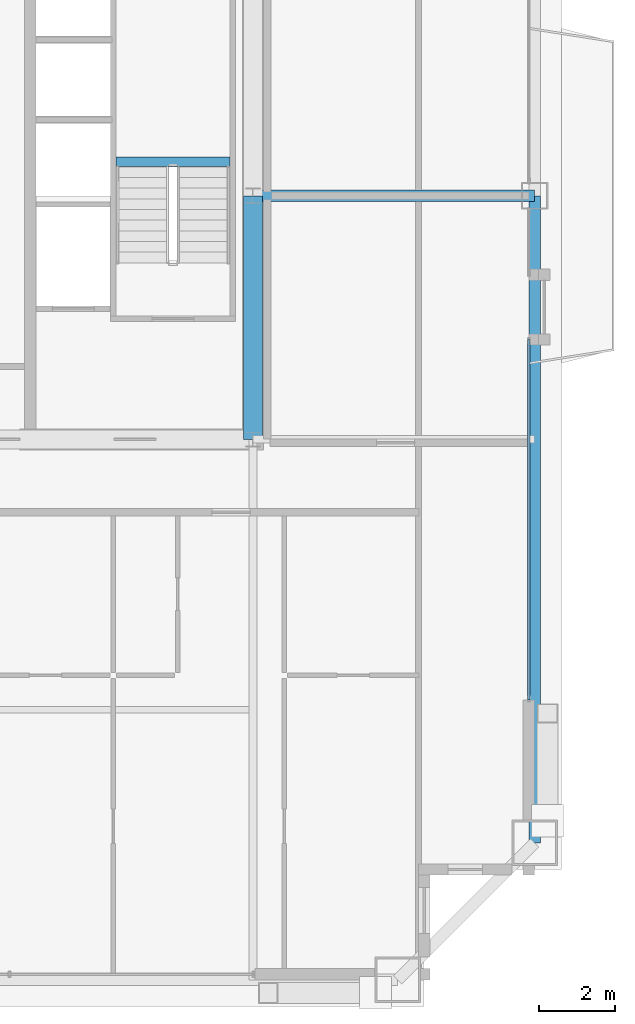
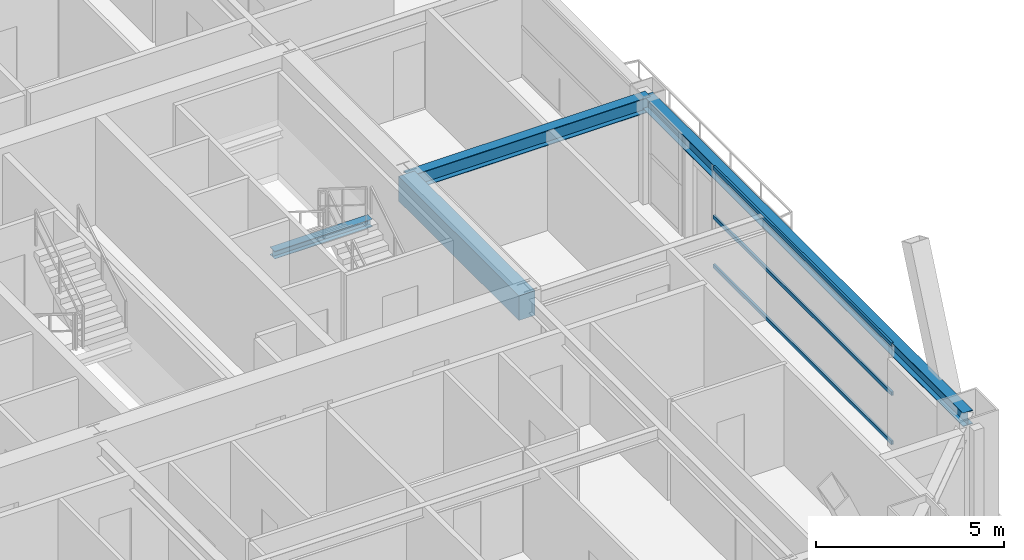
# One storey, part 16 of 35: 4 beams, 3 members, 1 element without a shape of its own.
"""IFC4 building model written with IfcOpenShell, lengths in metres."""

import ifcopenshell
import ifcopenshell.guid

model = None  # the IFC model being written
_history = None  # IfcOwnerHistory: only IFC2X3 demands one
_inside = {}  # id of a spatial element -> (the spatial element, [elements in it])
_under = {}  # id of a project, library or spatial element -> (it, [spatial elements below it])
_declared = {}  # id of a project -> (the project, [libraries it declares])
_typed = {}  # id of a type object -> (the type object, [elements of that type])
_made_of = {}  # id of a material, layer set ... -> (it, [elements and type objects made of it])


def new_model(schema):
    """Start an empty IFC model of exactly this schema.

    Asked for "IFC4X3", IfcOpenShell would pick the latest addendum, in which some entities
    have other attributes; the version numbers below select the first issue.
    IFC2X3 requires an IfcOwnerHistory on every rooted entity: one is made here for all.
    """
    global model, _history
    if schema == "IFC4X3":
        model = ifcopenshell.file(schema_version=(4, 3, 0, 0))
    else:
        model = ifcopenshell.file(schema=schema)
    _inside.clear()
    _under.clear()
    _declared.clear()
    _typed.clear()
    _made_of.clear()
    _history = None
    if model.schema == "IFC2X3":
        org = make("IfcOrganization", Name="unknown")
        user = make(
            "IfcPersonAndOrganization",
            ThePerson=make("IfcPerson", FamilyName="unknown"),
            TheOrganization=org,
        )
        app = make(
            "IfcApplication",
            ApplicationDeveloper=org,
            Version="unknown",
            ApplicationFullName="unknown",
            ApplicationIdentifier="unknown",
        )
        _history = make(
            "IfcOwnerHistory",
            OwningUser=user,
            OwningApplication=app,
            ChangeAction="ADDED",
            CreationDate=0,
        )
    return model


def make(cls, **values):
    """One entity of the class cls with the attributes given. An attribute that is None is left unset."""
    return model.create_entity(
        cls, **{name: value for name, value in values.items() if value is not None}
    )


def rooted(cls, **values):
    """An entity with a GlobalId (a new one), such as an element, a storey or a relation."""
    return make(cls, GlobalId=ifcopenshell.guid.new(), OwnerHistory=_history, **values)


def si_unit(unit_type, name, prefix=None):
    """IfcSIUnit, for example si_unit("LENGTHUNIT", "METRE", prefix="MILLI")."""
    return make("IfcSIUnit", UnitType=unit_type, Prefix=prefix, Name=name)


def assignment(units):
    """IfcUnitAssignment: the units of a project."""
    return None if units is None else make("IfcUnitAssignment", Units=units)


def point(xyz):
    """IfcCartesianPoint."""
    return None if xyz is None else make("IfcCartesianPoint", Coordinates=xyz)


def direction(xyz):
    """IfcDirection."""
    return None if xyz is None else make("IfcDirection", DirectionRatios=xyz)


def frame(location, z_axis=None, x_axis=None):
    """IfcAxis2Placement3D, a coordinate frame: its origin and axes. An axis left out is left unset."""
    return make(
        "IfcAxis2Placement3D",
        Location=point(location),
        Axis=direction(z_axis),
        RefDirection=direction(x_axis),
    )


def frame_2d(location, x_axis=None):
    """IfcAxis2Placement2D, a coordinate frame in the plane: its origin and x axis."""
    return make(
        "IfcAxis2Placement2D", Location=point(location), RefDirection=direction(x_axis)
    )


def origin():
    """The frame at (0, 0, 0) with its axes left unset."""
    return frame((0.0, 0.0, 0.0))


def origin_2d():
    """The frame at (0, 0) in the plane with its x axis left unset."""
    return frame_2d((0.0, 0.0))


def place(relative_to, where):
    """IfcLocalPlacement: puts the frame where relative to a parent placement (None: the world)."""
    return make(
        "IfcLocalPlacement", PlacementRelTo=relative_to, RelativePlacement=where
    )


def context(
    kind, dimensions, precision=None, world=None, true_north=None, identifier=None
):
    """IfcGeometricRepresentationContext, for example the 3D "Model" context."""
    return make(
        "IfcGeometricRepresentationContext",
        ContextIdentifier=identifier,
        ContextType=kind,
        CoordinateSpaceDimension=dimensions,
        Precision=precision,
        WorldCoordinateSystem=world,
        TrueNorth=true_north,
    )


def subcontext(parent, identifier, kind, view, scale=None):
    """IfcGeometricRepresentationSubContext, for example "Body" below "Model"."""
    return make(
        "IfcGeometricRepresentationSubContext",
        ContextIdentifier=identifier,
        ContextType=kind,
        ParentContext=parent,
        TargetScale=scale,
        TargetView=view,
    )


def project(units=None, contexts=None):
    """IfcProject with its units and contexts."""
    return rooted(
        "IfcProject",
        Name="project",
        RepresentationContexts=contexts,
        UnitsInContext=assignment(units),
    )


def spatial(cls, under=None, at=None, **own):
    """A site, building, storey or space (cls), placed at a placement, below another one or the project."""
    s = rooted(cls, ObjectPlacement=at, **own)
    if under is not None:
        _under.setdefault(under.id(), (under, []))[1].append(s)
    return s


def profile(cls, at=None, kind="AREA", **sizes):
    """A parametric profile (cls). Its sizes go by their IFC names, for example OverallWidth=200.0."""
    return make(cls, ProfileType=kind, Position=at, **sizes)


def rectangle(**sizes):
    """IfcRectangleProfileDef."""
    return profile("IfcRectangleProfileDef", **sizes)


def hollow_rectangle(**sizes):
    """IfcRectangleHollowProfileDef."""
    return profile("IfcRectangleHollowProfileDef", **sizes)


def i_section(**sizes):
    """IfcIShapeProfileDef."""
    return profile("IfcIShapeProfileDef", **sizes)


def extrude(swept, where, along, depth):
    """IfcExtrudedAreaSolid: the profile swept, set in the frame where, extruded along a direction by depth."""
    return make(
        "IfcExtrudedAreaSolid",
        SweptArea=swept,
        Position=where,
        ExtrudedDirection=direction(along),
        Depth=depth,
    )


def shape(context_of_items, identifier, shape_type, items):
    """IfcShapeRepresentation: the items that make up one representation, for example the "Body"."""
    return make(
        "IfcShapeRepresentation",
        ContextOfItems=context_of_items,
        RepresentationIdentifier=identifier,
        RepresentationType=shape_type,
        Items=items,
    )


def source(mapping_origin, context_of_items, identifier, shape_type, items):
    """IfcRepresentationMap: a shape defined once, which mapped items show again and again."""
    return make(
        "IfcRepresentationMap",
        MappingOrigin=mapping_origin,
        MappedRepresentation=shape(context_of_items, identifier, shape_type, items),
    )


def transform(
    local_origin,
    x_axis=None,
    y_axis=None,
    z_axis=None,
    scale=None,
    scale2=None,
    scale3=None,
    uniform=True,
):
    """IfcCartesianTransformationOperator3D, or its non-uniform kind. x_axis, y_axis, z_axis: its Axis1, 2, 3."""
    if uniform:
        return make(
            "IfcCartesianTransformationOperator3D",
            Axis1=direction(x_axis),
            Axis2=direction(y_axis),
            LocalOrigin=point(local_origin),
            Scale=scale,
            Axis3=direction(z_axis),
        )
    return make(
        "IfcCartesianTransformationOperator3DnonUniform",
        Axis1=direction(x_axis),
        Axis2=direction(y_axis),
        LocalOrigin=point(local_origin),
        Scale=scale,
        Axis3=direction(z_axis),
        Scale2=scale2,
        Scale3=scale3,
    )


def mapped(mapping_source, mapping_target):
    """IfcMappedItem: shows the shape of a source again, moved by a transform."""
    return make(
        "IfcMappedItem", MappingSource=mapping_source, MappingTarget=mapping_target
    )


def material(Name=None, Category=None):
    """IfcMaterial."""
    return make("IfcMaterial", Name=Name, Category=Category)


def layer(
    of_material, thickness, ventilated=None, Name=None, Category=None, Priority=None
):
    """IfcMaterialLayer: one layer of a wall or slab, of a material (None: an air gap)."""
    return make(
        "IfcMaterialLayer",
        Material=of_material,
        LayerThickness=thickness,
        IsVentilated=ventilated,
        Name=Name,
        Category=Category,
        Priority=Priority,
    )


def layer_set(layers, Name=None):
    """IfcMaterialLayerSet."""
    return make("IfcMaterialLayerSet", MaterialLayers=layers, LayerSetName=Name)


def material_profile(
    of_material, cross_section, Name=None, Category=None, Priority=None
):
    """IfcMaterialProfile: a cross section and its material."""
    return make(
        "IfcMaterialProfile",
        Name=Name,
        Material=of_material,
        Profile=cross_section,
        Priority=Priority,
        Category=Category,
    )


def profile_set(profiles, Name=None, composite=None):
    """IfcMaterialProfileSet."""
    return make(
        "IfcMaterialProfileSet",
        Name=Name,
        MaterialProfiles=profiles,
        CompositeProfile=composite,
    )


def made_of(thing, what):
    """Note that an element or type object is made of a material, layer set ...; save() writes the relation."""
    if what is not None:
        _made_of.setdefault(what.id(), (what, []))[1].append(thing)
    return thing


def type_object(cls, material=None, **own):
    """A type object (cls), such as IfcWallType, which elements share."""
    return made_of(rooted(cls, **own), material)


def element(
    cls,
    number,
    at=None,
    inside=None,
    cuts=None,
    type_object=None,
    material=None,
    context=None,
    identifier="Body",
    shape_type=None,
    held_by="IfcProductDefinitionShape",
    body=None,
    shapes=None,
    **own,
):
    """One element of the class cls, such as IfcWall. Its Tag is "e" and its number.

    at: its placement. inside: the storey or other place that contains it. cuts: it is an
    opening in that element (IfcRelVoidsElement). A single representation is given by context,
    identifier, shape_type and body (its items); several are given by shapes. held_by: the class
    of the entity that holds the representations. save() writes the other relations.
    """
    e = rooted(cls, Tag="e%d" % number, ObjectPlacement=at, **own)
    if body is not None:
        shapes = [shape(context, identifier, shape_type, body)]
    if shapes is not None:
        e.Representation = make(held_by, Representations=shapes)
    if inside is not None:
        _inside.setdefault(inside.id(), (inside, []))[1].append(e)
    if cuts is not None:
        rooted(
            "IfcRelVoidsElement", RelatingBuildingElement=cuts, RelatedOpeningElement=e
        )
    if type_object is not None:
        _typed.setdefault(type_object.id(), (type_object, []))[1].append(e)
    return made_of(e, material)


def aggregate(whole, parts):
    """IfcRelAggregates: a whole, such as a stair, and the parts it consists of."""
    return rooted("IfcRelAggregates", RelatingObject=whole, RelatedObjects=parts)


def save(model, path):
    """Write the relations noted so far, then the file.

    IfcRelAggregates (storeys below a building ...), IfcRelContainedInSpatialStructure (elements
    in a storey), IfcRelDefinesByType, IfcRelAssociatesMaterial and IfcRelDeclares: one each for
    every whole, place, type object, material and project.
    """
    for whole, parts in _under.values():
        aggregate(whole, parts)
    for where, things in _inside.values():
        rooted(
            "IfcRelContainedInSpatialStructure",
            RelatedElements=things,
            RelatingStructure=where,
        )
    for kind, things in _typed.values():
        rooted("IfcRelDefinesByType", RelatedObjects=things, RelatingType=kind)
    for what, things in _made_of.values():
        rooted("IfcRelAssociatesMaterial", RelatedObjects=things, RelatingMaterial=what)
    for by, libraries in _declared.values():
        rooted("IfcRelDeclares", RelatingContext=by, RelatedDefinitions=libraries)
    model.write(path)


model = new_model("IFC4")

# Units and contexts
model_context = context("Model", 3, precision=1e-05, world=origin(), true_north=direction((0.0, 1.0)))
body_context = subcontext(model_context, "Body", "Model", "MODEL_VIEW")
ifc_project = project(units=[si_unit("LENGTHUNIT", "METRE"), si_unit("AREAUNIT", "SQUARE_METRE"), si_unit("VOLUMEUNIT", "CUBIC_METRE"), si_unit("PLANEANGLEUNIT", "RADIAN"), si_unit("MASSUNIT", "GRAM", prefix="KILO"), si_unit("THERMODYNAMICTEMPERATUREUNIT", "KELVIN"), si_unit("POWERUNIT", "WATT")], contexts=[model_context])

# Site, building, storey
site_placement = place(None, origin())
site = spatial("IfcSite", under=ifc_project, at=site_placement, CompositionType="ELEMENT")
building_placement = place(site_placement, origin())
building = spatial("IfcBuilding", under=site, at=building_placement, Name="Yuzanri Waterfront Tower", CompositionType="ELEMENT")
storey_placement = place(building_placement, frame((0.0, 0.0, 248.60009765625)))
storey = spatial("IfcBuildingStorey", under=building, at=storey_placement, Name="L66", CompositionType="ELEMENT", Elevation=248.60009765625)

# Beams
ifc_material_1 = material(Name="Concrete C50", Category="concrete")
ifc_material_profile_1 = material_profile(ifc_material_1, rectangle(XDim=0.5, YDim=0.800048828125, at=origin_2d()), Name="RC 500x800")
ifc_profile_set_1 = profile_set([ifc_material_profile_1], Name="Concrete C50")
beam_type_1 = type_object("IfcBeamType", Name="Core Coupling Lintel Concrete C50 500x800", PredefinedType="LINTEL", material=ifc_profile_set_1)
shared_shape_1 = source(origin(), body_context, "Body", "SweptSolid", [
    extrude(rectangle(XDim=0.5, YDim=0.800048828125, at=origin_2d()), origin(), (0.0, 0.0, 1.0), 6.400146484375),
])
beam_1_placement = place(storey_placement, frame((50.199951171875, 19.39990234375, 2.8798828125), z_axis=(0.0, 1.0, 0.0), x_axis=(-1.0, 0.0, 0.0)))
element("IfcBeam", 1, at=beam_1_placement, inside=storey, type_object=beam_type_1, Name="L66 Core Tie Beam CE1", PredefinedType="LINTEL", context=body_context, shape_type="MappedRepresentation", body=[
    mapped(shared_shape_1, transform((0.0, 0.0, 0.0), scale=1.0)),
])
ifc_material_2 = material(Name="Steel Q355B", Category="steel")
ifc_material_profile_2 = material_profile(ifc_material_2, i_section(OverallWidth=0.300048828125, OverallDepth=0.43994140625, WebThickness=0.010986328125, FlangeThickness=0.01806640625, at=origin_2d()), Name="HM 440x300x11x18")
ifc_profile_set_2 = profile_set([ifc_material_profile_2], Name="Steel Q355B")
beam_type_2 = type_object("IfcBeamType", Name="Perimeter Spandrel Q355B HM 440x300", PredefinedType="SPANDREL", material=ifc_profile_set_2)
shared_shape_2 = source(origin(), body_context, "Body", "SweptSolid", [
    extrude(i_section(OverallWidth=0.300048828125, OverallDepth=0.43994140625, WebThickness=0.010986328125, FlangeThickness=0.01806640625, at=origin_2d()), origin(), (0.0, 0.0, 1.0), 17.0),
])
beam_2_placement = place(storey_placement, frame((57.60009765625, 8.800048828125, 3.059814453125), z_axis=(0.0, 1.0, 0.0), x_axis=(-1.0, 0.0, 0.0)))
element("IfcBeam", 2, at=beam_2_placement, inside=storey, type_object=beam_type_2, Name="L66 Perimeter Spandrel E1-E2", PredefinedType="SPANDREL", context=body_context, shape_type="MappedRepresentation", body=[
    mapped(shared_shape_2, transform((0.0, 0.0, 0.0), scale=1.0)),
])
ifc_material_3 = material(Name="Steel Q355B", Category="steel")
ifc_material_profile_3 = material_profile(ifc_material_3, i_section(OverallWidth=0.300048828125, OverallDepth=0.488037109375, WebThickness=0.010986328125, FlangeThickness=0.01806640625, at=origin_2d()), Name="HM 488x300x11x18")
ifc_profile_set_3 = profile_set([ifc_material_profile_3], Name="Steel Q355B")
beam_type_3 = type_object("IfcBeamType", Name="Primary Floor Girder Q355B HM 488x300", PredefinedType="BEAM", material=ifc_profile_set_3)
shared_shape_3 = source(origin(), body_context, "Body", "SweptSolid", [
    extrude(i_section(OverallWidth=0.300048828125, OverallDepth=0.488037109375, WebThickness=0.010986328125, FlangeThickness=0.01806640625, at=origin_2d()), origin(), (0.0, 0.0, 1.0), 7.400146484375),
])
beam_3_placement = place(storey_placement, frame((50.199951171875, 25.800048828125, 3.035888671875), z_axis=(1.0, 0.0, 0.0), x_axis=(0.0, 1.0, 0.0)))
element("IfcBeam", 3, at=beam_3_placement, inside=storey, type_object=beam_type_3, Name="L66 East Grid Girder", PredefinedType="BEAM", context=body_context, shape_type="MappedRepresentation", body=[
    mapped(shared_shape_3, transform((0.0, 0.0, 0.0), scale=1.0)),
])

# Curtain wall, members
ifc_material_4 = material(Name="Anodized Architectural Bronze", Category="metal")
ifc_layer = layer(ifc_material_4, 0.159912109375)
ifc_layer_set = layer_set([ifc_layer], Name="Anodized Architectural Bronze")
curtain_wall_type = type_object("IfcCurtainWallType", Name="Anodized Bronze Mid-Rise Residential Acoustic Unitized Curtain Wall 7200", PredefinedType="NOTDEFINED", material=ifc_layer_set)
curtain_wall_placement = place(storey_placement, origin())
curtain_wall = element("IfcCurtainWall", 4, at=curtain_wall_placement, inside=storey, type_object=curtain_wall_type, Name="L66 Curtain Wall CW-L66-EL1", PredefinedType="NOTDEFINED")
ifc_material_5 = material(Name="Anodized Architectural Bronze", Category="metal")
ifc_material_profile_4 = material_profile(ifc_material_5, hollow_rectangle(XDim=0.06494140625, YDim=0.1201171875, WallThickness=0.00341796875, at=origin_2d()), Name="CWT 65x120")
ifc_profile_set_4 = profile_set([ifc_material_profile_4], Name="Anodized Architectural Bronze")
member_type = type_object("IfcMemberType", Name="Anodized Bronze Secondary Curtain-Wall Transom 65x120", PredefinedType="USERDEFINED", material=ifc_profile_set_4)
shared_shape_4 = source(origin(), body_context, "Body", "SweptSolid", [
    extrude(hollow_rectangle(XDim=0.06494140625, YDim=0.1201171875, WallThickness=0.00341796875, at=origin_2d()), origin(), (0.0, 0.0, 1.0), 9.474853515625),
])
member_1_placement = place(storey_placement, frame((57.449951171875, 12.550048828125, 0.0498046875), z_axis=(0.0, 1.0, 0.0), x_axis=(-1.0, 0.0, 0.0)))
member_1 = element("IfcMember", 5, at=member_1_placement, type_object=member_type, Name="CW-L66-EL1 Transom 1", ObjectType="TRANSOM", PredefinedType="USERDEFINED", context=body_context, shape_type="MappedRepresentation", body=[
    mapped(shared_shape_4, transform((0.0, 0.0, 0.0), scale=1.0)),
])
member_2_placement = place(storey_placement, frame((57.449951171875, 12.550048828125, 1.639892578125), z_axis=(0.0, 1.0, 0.0), x_axis=(-1.0, 0.0, 0.0)))
member_2 = element("IfcMember", 6, at=member_2_placement, type_object=member_type, Name="CW-L66-EL1 Transom 2", ObjectType="TRANSOM", PredefinedType="USERDEFINED", context=body_context, shape_type="MappedRepresentation", body=[
    mapped(shared_shape_4, transform((0.0, 0.0, 0.0), scale=1.0)),
])
member_3_placement = place(storey_placement, frame((57.449951171875, 12.550048828125, 3.22998046875), z_axis=(0.0, 1.0, 0.0), x_axis=(-1.0, 0.0, 0.0)))
member_3 = element("IfcMember", 7, at=member_3_placement, type_object=member_type, Name="CW-L66-EL1 Transom 3", ObjectType="TRANSOM", PredefinedType="USERDEFINED", context=body_context, shape_type="MappedRepresentation", body=[
    mapped(shared_shape_4, transform((0.0, 0.0, 0.0), scale=1.0)),
])
aggregate(curtain_wall, [member_1, member_2, member_3])

# Beam
ifc_material_6 = material(Name="Steel Q355B", Category="steel")
ifc_material_profile_5 = material_profile(ifc_material_6, i_section(OverallWidth=0.25, OverallDepth=0.25, WebThickness=0.009033203125, FlangeThickness=0.013916015625, at=origin_2d()), Name="HW 250x250x9x14")
ifc_profile_set_5 = profile_set([ifc_material_profile_5], Name="Steel Q355B")
beam_type_4 = type_object("IfcBeamType", Name="Stair Landing Support Beam Q355B HW 250x250", PredefinedType="BEAM", material=ifc_profile_set_5)
shared_shape_5 = source(origin(), body_context, "Body", "SweptSolid", [
    extrude(i_section(OverallWidth=0.25, OverallDepth=0.25, WebThickness=0.009033203125, FlangeThickness=0.013916015625, at=origin_2d()), origin(), (0.0, 0.0, 1.0), 3.0),
])
beam_4_placement = place(storey_placement, frame((46.60009765625, 26.68994140625, 1.4248046875), z_axis=(1.0, 0.0, 0.0), x_axis=(0.0, 1.0, 0.0)))
element("IfcBeam", 8, at=beam_4_placement, inside=storey, type_object=beam_type_4, Name="L66 Stair Landing Support Beam ST-02-L66-L1-1", PredefinedType="BEAM", context=body_context, shape_type="MappedRepresentation", body=[
    mapped(shared_shape_5, transform((0.0, 0.0, 0.0), scale=1.0)),
])

save(model, "model.ifc")
